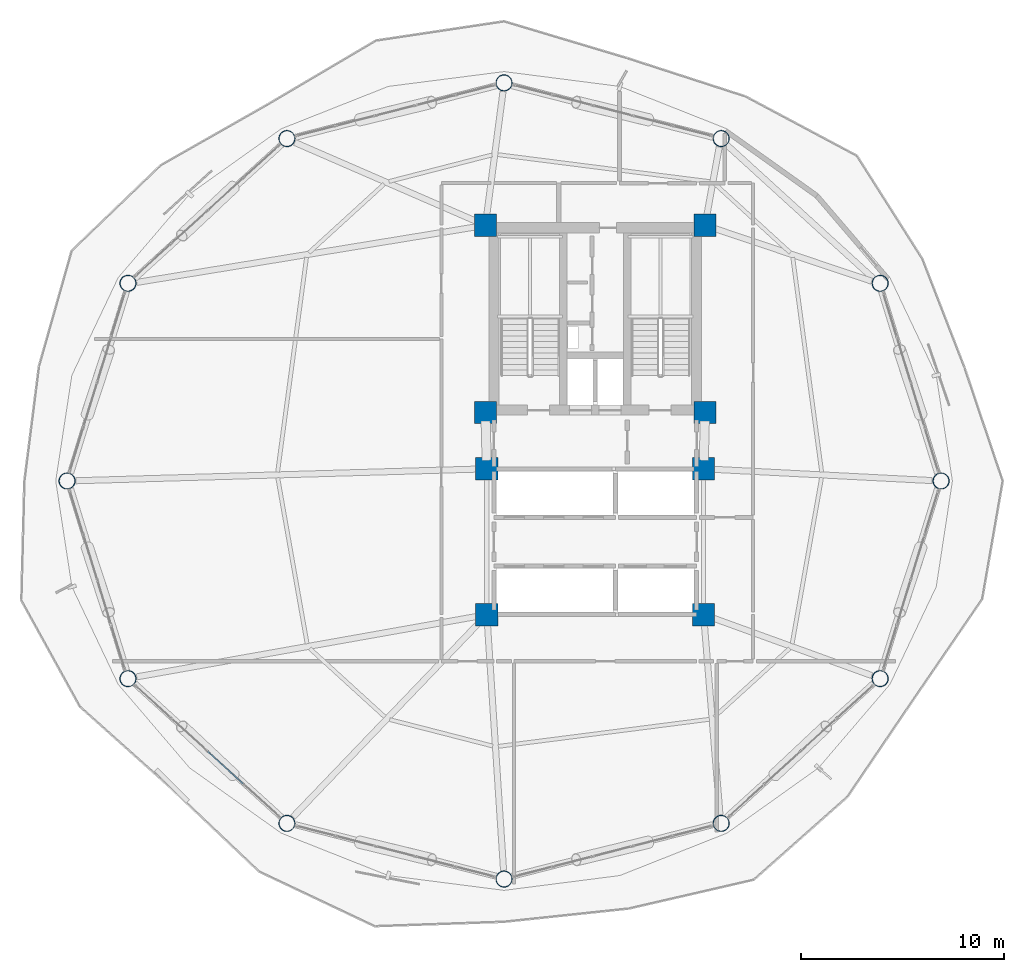
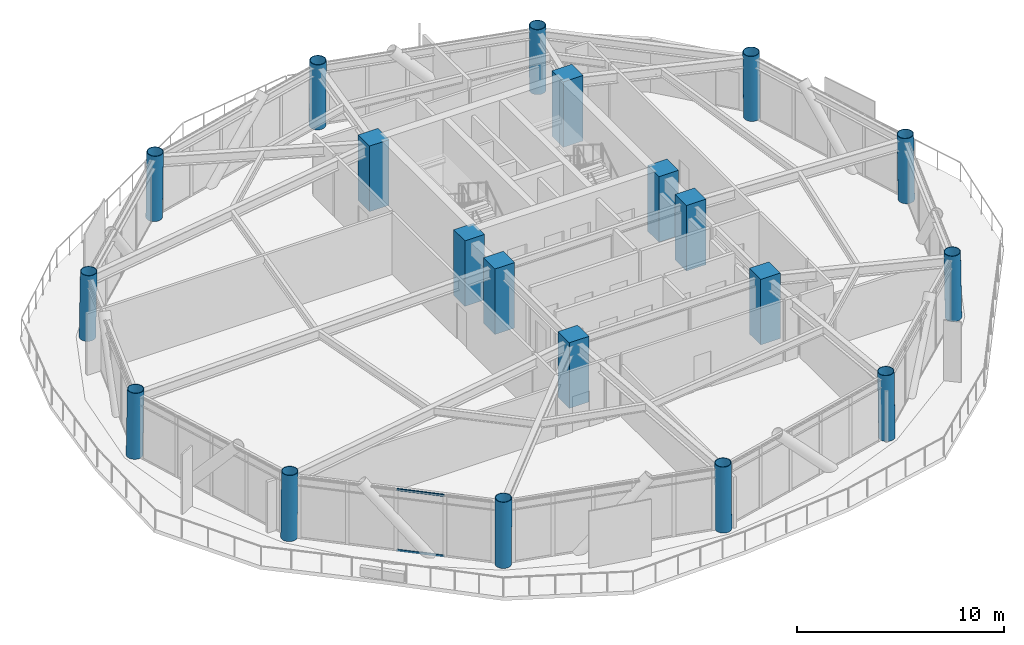
# One storey, part 1 of 24: 20 columns, 2 members, 1 element without a shape of its own.
"""IFC4 building model written with IfcOpenShell, lengths in metres."""

from ifc_helpers import new_model, si_unit, direction, frame, origin, origin_2d, place, context, subcontext, project, spatial, rectangle, hollow_rectangle, hollow_circle, extrude, material, layer, layer_set, material_profile, profile_set, type_object, element, aggregate, save


model = new_model("IFC4")

# Units and contexts
model_context = context("Model", 3, precision=1e-05, world=origin(), true_north=direction((0.0, 1.0)))
body_context = subcontext(model_context, "Body", "Model", "MODEL_VIEW")
ifc_project = project(units=[si_unit("LENGTHUNIT", "METRE"), si_unit("AREAUNIT", "SQUARE_METRE"), si_unit("VOLUMEUNIT", "CUBIC_METRE"), si_unit("PLANEANGLEUNIT", "RADIAN"), si_unit("MASSUNIT", "GRAM", prefix="KILO")], contexts=[model_context])

# Site, building, storey
site_placement = place(None, origin())
site = spatial("IfcSite", under=ifc_project, at=site_placement, CompositionType="ELEMENT")
building_placement = place(site_placement, origin())
building = spatial("IfcBuilding", under=site, at=building_placement, Name="Varnakorn Sky Granary", CompositionType="ELEMENT")
storey_placement = place(building_placement, frame((0.0, 0.0, 103.199951171875)))
storey = spatial("IfcBuildingStorey", under=building, at=storey_placement, Name="L25", CompositionType="ELEMENT", Elevation=103.199951171875)

# Columns
ifc_material_1 = material(Name="Steel S460M", Category="steel")
ifc_material_profile_1 = material_profile(ifc_material_1, hollow_circle(Radius=0.406494140625, WallThickness=0.030029296875, at=origin_2d()), Name="CHS 813x30")
ifc_profile_set_1 = profile_set([ifc_material_profile_1], Name="Steel S460M")
column_type_1 = type_object("IfcColumnType", Name="COL-DC-Z2", PredefinedType="COLUMN", material=ifc_profile_set_1)
for number, where, z_axis, x_axis, name in (
    (1, (20.0830078125, 0.0, 0.0), (-0.017008627934, 0.0, 0.999855342825), (0.0, -1.0, 0.0), "Drum Perimeter Column DC01 L25"),
    (2, (17.074462890625, 9.762451171875, 0.0), (-0.014741060664, -0.006173606603, 0.999872285701), (0.386294084798, -0.922375671866, 0.0), "Drum Perimeter Column DC02 L25"),
):
    element("IfcColumn", number, at=place(storey_placement, frame(where, z_axis=z_axis, x_axis=x_axis)), inside=storey, type_object=column_type_1, Name=name, PredefinedType="COLUMN", context=body_context, shape_type="SweptSolid", body=[
        extrude(hollow_circle(Radius=0.406494140625, WallThickness=0.030029296875, at=origin_2d()), origin(), (0.0, 0.0, 1.0), 3.87548828125),
    ])
for number, where, z_axis, x_axis, name in (
    (3, (9.22412109375, 16.9091796875, 0.0), (-0.008567742463, -0.010709678078, 0.999905943869), (0.780868809443, -0.624695047554, 0.0), "Drum Perimeter Column DC03 L25"),
    (4, (-1.5, 19.659912109375, 0.0), (0.0, -0.012347848881, 0.999923762408), (1.0, 0.0, 0.0), "Drum Perimeter Column DC04 L25"),
    (5, (-12.22412109375, 16.9091796875, 0.0), (0.008567742463, -0.010709678078, 0.999905943869), (0.780868809443, 0.624695047554, 0.0), "Drum Perimeter Column DC05 L25"),
):
    element("IfcColumn", number, at=place(storey_placement, frame(where, z_axis=z_axis, x_axis=x_axis)), inside=storey, type_object=column_type_1, Name=name, PredefinedType="COLUMN", context=body_context, shape_type="SweptSolid", body=[
        extrude(hollow_circle(Radius=0.406494140625, WallThickness=0.030029296875, at=origin_2d()), origin(), (0.0, 0.0, 1.0), 3.875244140625),
    ])
for number, where, z_axis, x_axis, name in (
    (6, (-20.074462890625, 9.762451171875, 0.0), (0.014741060664, -0.006173606603, 0.999872285701), (0.386294084798, 0.922375671866, 0.0), "Drum Perimeter Column DC06 L25"),
    (7, (-23.0830078125, 0.0, 0.0), (0.017008627934, 0.0, 0.999855342825), (0.0, 1.0, 0.0), "Drum Perimeter Column DC07 L25"),
    (8, (-20.074462890625, -9.762451171875, 0.0), (0.014741060664, 0.006173606603, 0.999872285701), (-0.386294084798, 0.922375671866, 0.0), "Drum Perimeter Column DC08 L25"),
):
    element("IfcColumn", number, at=place(storey_placement, frame(where, z_axis=z_axis, x_axis=x_axis)), inside=storey, type_object=column_type_1, Name=name, PredefinedType="COLUMN", context=body_context, shape_type="SweptSolid", body=[
        extrude(hollow_circle(Radius=0.406494140625, WallThickness=0.030029296875, at=origin_2d()), origin(), (0.0, 0.0, 1.0), 3.87548828125),
    ])
for number, where, z_axis, x_axis, name in (
    (9, (-12.22412109375, -16.9091796875, 0.0), (0.008567742463, 0.010709678078, 0.999905943869), (-0.780868809443, 0.624695047554, 0.0), "Drum Perimeter Column DC09 L25"),
    (10, (-1.5, -19.659912109375, 0.0), (0.0, 0.012347848881, 0.999923762408), (-1.0, 0.0, 0.0), "Drum Perimeter Column DC10 L25"),
    (11, (9.22412109375, -16.9091796875, 0.0), (-0.008567742463, 0.010709678078, 0.999905943869), (-0.780868809443, -0.624695047554, 0.0), "Drum Perimeter Column DC11 L25"),
):
    element("IfcColumn", number, at=place(storey_placement, frame(where, z_axis=z_axis, x_axis=x_axis)), inside=storey, type_object=column_type_1, Name=name, PredefinedType="COLUMN", context=body_context, shape_type="SweptSolid", body=[
        extrude(hollow_circle(Radius=0.406494140625, WallThickness=0.030029296875, at=origin_2d()), origin(), (0.0, 0.0, 1.0), 3.875244140625),
    ])
column_placement = place(storey_placement, frame((17.074462890625, -9.762451171875, 0.0), z_axis=(-0.014741060664, 0.006173606603, 0.999872285701), x_axis=(-0.386294084798, -0.922375671866, 0.0)))
element("IfcColumn", 12, at=column_placement, inside=storey, type_object=column_type_1, Name="Drum Perimeter Column DC12 L25", PredefinedType="COLUMN", context=body_context, shape_type="SweptSolid", body=[
    extrude(hollow_circle(Radius=0.406494140625, WallThickness=0.030029296875, at=origin_2d()), origin(), (0.0, 0.0, 1.0), 3.87548828125),
])
ifc_material_2 = material(Name="Concrete C60/75", Category="concrete")
ifc_material_profile_2 = material_profile(ifc_material_2, rectangle(XDim=1.10009765625, YDim=1.10009765625, at=origin_2d()), Name="RC 1100x1100")
ifc_profile_set_2 = profile_set([ifc_material_profile_2], Name="Concrete C60/75")
column_type_2 = type_object("IfcColumnType", Name="COL-MC-Z2", PredefinedType="COLUMN", material=ifc_profile_set_2)
for number, where, z_axis, x_axis, name in (
    (13, (-2.419921875, 12.6201171875, 0.0), (0.0, 0.0, 1.0), (1.0, 0.0, 0.0), "Backbone Mega-Column MC1 L25"),
    (14, (8.419921875, 12.6201171875, 0.0), (0.0, 0.0, 1.0), (1.0, 0.0, 0.0), "Backbone Mega-Column MC2 L25"),
    (15, (-2.419921875, 3.3798828125, 0.0), (0.0, 0.0, 1.0), (1.0, 0.0, 0.0), "Backbone Mega-Column MC3 L25"),
    (16, (8.419921875, 3.3798828125, 0.0), (0.0, 0.0, 1.0), (1.0, 0.0, 0.0), "Backbone Mega-Column MC4 L25"),
    (17, (-2.35009765625, 0.60009765625, 0.0), (0.0, 0.0, 1.0), (1.0, 0.0, 0.0), "Backbone Mega-Column MC5 L25"),
    (18, (8.35009765625, 0.60009765625, 0.0), (0.0, 0.0, 1.0), (1.0, 0.0, 0.0), "Backbone Mega-Column MC6 L25"),
    (19, (-2.35009765625, -6.60009765625, 0.0), (0.0, 0.0, 1.0), (1.0, 0.0, 0.0), "Backbone Mega-Column MC7 L25"),
    (20, (8.35009765625, -6.60009765625, 0.0), (0.0, 0.0, 1.0), (1.0, 0.0, 0.0), "Backbone Mega-Column MC8 L25"),
):
    element("IfcColumn", number, at=place(storey_placement, frame(where, z_axis=z_axis, x_axis=x_axis)), inside=storey, type_object=column_type_2, Name=name, PredefinedType="COLUMN", context=body_context, shape_type="SweptSolid", body=[
        extrude(rectangle(XDim=1.10009765625, YDim=1.10009765625, at=origin_2d()), origin(), (0.0, 0.0, 1.0), 3.875),
    ])

# Curtain wall, members
ifc_material_3 = material(Name="Anodised Bronze Aluminium Alloy 6063-T6", Category="aluminium")
ifc_layer = layer(ifc_material_3, 0.179931640625, Name="Anodised Bronze Aluminium Alloy 6063-T6")
ifc_layer_set = layer_set([ifc_layer], Name="Anodised Bronze Aluminium Alloy 6063-T6")
curtain_wall_type = type_object("IfcCurtainWallType", Name="CW-FRM-2", PredefinedType="USERDEFINED", material=ifc_layer_set)
curtain_wall_placement = place(storey_placement, origin())
curtain_wall = element("IfcCurtainWall", 21, at=curtain_wall_placement, inside=storey, type_object=curtain_wall_type, Name="Unitised Curtain Wall CW4 CW-L25-B08", ObjectType="CURTAIN WALL", PredefinedType="USERDEFINED")
ifc_material_profile_3 = material_profile(ifc_material_3, hollow_rectangle(XDim=0.06494140625, YDim=0.1201171875, WallThickness=0.00341796875, at=origin_2d()), Name="ALU TRAN 65x120")
ifc_profile_set_3 = profile_set([ifc_material_profile_3], Name="Anodised Bronze Aluminium Alloy 6063-T6")
member_type = type_object("IfcMemberType", Name="CW-FRM-2-TRAN", PredefinedType="USERDEFINED", material=ifc_profile_set_3)
member_1_placement = place(storey_placement, frame((-14.385009765625, -14.94189453125, 0.032470703125), z_axis=(-0.73946054637, 0.673199896288, 0.0), x_axis=(-0.673199896288, -0.73946054637, 0.0)))
member_1 = element("IfcMember", 22, at=member_1_placement, type_object=member_type, Name="CW4 transom 2.1", ObjectType="TRANSOM", PredefinedType="USERDEFINED", context=body_context, shape_type="SweptSolid", body=[
    extrude(hollow_rectangle(XDim=0.06494140625, YDim=0.1201171875, WallThickness=0.00341796875, at=origin_2d()), origin(), (0.0, 0.0, 1.0), 2.350830078125),
])
member_2_placement = place(storey_placement, frame((-14.385009765625, -14.94189453125, 3.607666015625), z_axis=(-0.73946054637, 0.673199896288, 0.0), x_axis=(-0.673199896288, -0.73946054637, 0.0)))
member_2 = element("IfcMember", 23, at=member_2_placement, type_object=member_type, Name="CW4 transom 2.2", ObjectType="TRANSOM", PredefinedType="USERDEFINED", context=body_context, shape_type="SweptSolid", body=[
    extrude(hollow_rectangle(XDim=0.06494140625, YDim=0.1201171875, WallThickness=0.00341796875, at=origin_2d()), origin(), (0.0, 0.0, 1.0), 2.350830078125),
])
aggregate(curtain_wall, [member_1, member_2])

save(model, "model.ifc")
